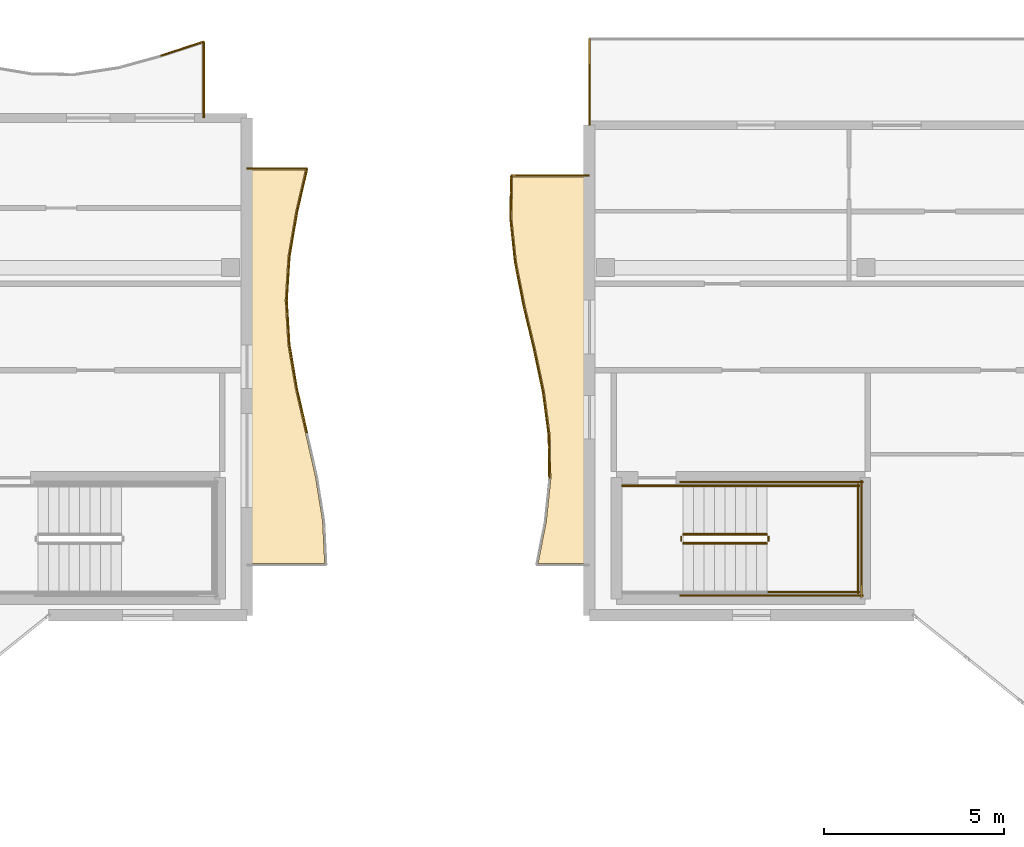
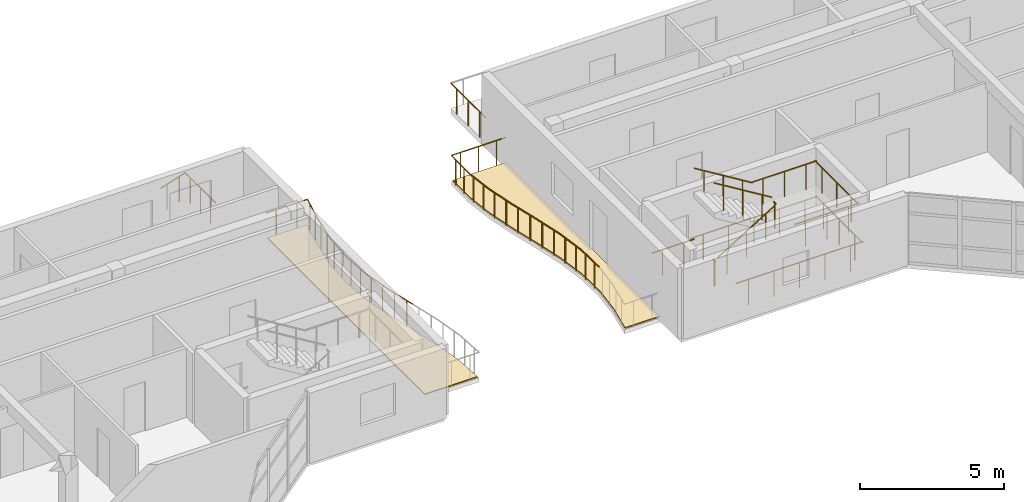
# One storey, part 36 of 39: 30 railings, 2 coverings.
"""IFC4 building model written with IfcOpenShell, lengths in metres."""

import ifcopenshell
import ifcopenshell.guid

model = None  # the IFC model being written
_history = None  # IfcOwnerHistory: only IFC2X3 demands one
_inside = {}  # id of a spatial element -> (the spatial element, [elements in it])
_under = {}  # id of a project, library or spatial element -> (it, [spatial elements below it])
_declared = {}  # id of a project -> (the project, [libraries it declares])
_typed = {}  # id of a type object -> (the type object, [elements of that type])
_made_of = {}  # id of a material, layer set ... -> (it, [elements and type objects made of it])


def new_model(schema):
    """Start an empty IFC model of exactly this schema.

    Asked for "IFC4X3", IfcOpenShell would pick the latest addendum, in which some entities
    have other attributes; the version numbers below select the first issue.
    IFC2X3 requires an IfcOwnerHistory on every rooted entity: one is made here for all.
    """
    global model, _history
    if schema == "IFC4X3":
        model = ifcopenshell.file(schema_version=(4, 3, 0, 0))
    else:
        model = ifcopenshell.file(schema=schema)
    _inside.clear()
    _under.clear()
    _declared.clear()
    _typed.clear()
    _made_of.clear()
    _history = None
    if model.schema == "IFC2X3":
        org = make("IfcOrganization", Name="unknown")
        user = make(
            "IfcPersonAndOrganization",
            ThePerson=make("IfcPerson", FamilyName="unknown"),
            TheOrganization=org,
        )
        app = make(
            "IfcApplication",
            ApplicationDeveloper=org,
            Version="unknown",
            ApplicationFullName="unknown",
            ApplicationIdentifier="unknown",
        )
        _history = make(
            "IfcOwnerHistory",
            OwningUser=user,
            OwningApplication=app,
            ChangeAction="ADDED",
            CreationDate=0,
        )
    return model


def make(cls, **values):
    """One entity of the class cls with the attributes given. An attribute that is None is left unset."""
    return model.create_entity(
        cls, **{name: value for name, value in values.items() if value is not None}
    )


def rooted(cls, **values):
    """An entity with a GlobalId (a new one), such as an element, a storey or a relation."""
    return make(cls, GlobalId=ifcopenshell.guid.new(), OwnerHistory=_history, **values)


def si_unit(unit_type, name, prefix=None):
    """IfcSIUnit, for example si_unit("LENGTHUNIT", "METRE", prefix="MILLI")."""
    return make("IfcSIUnit", UnitType=unit_type, Prefix=prefix, Name=name)


def assignment(units):
    """IfcUnitAssignment: the units of a project."""
    return None if units is None else make("IfcUnitAssignment", Units=units)


def point(xyz):
    """IfcCartesianPoint."""
    return None if xyz is None else make("IfcCartesianPoint", Coordinates=xyz)


def direction(xyz):
    """IfcDirection."""
    return None if xyz is None else make("IfcDirection", DirectionRatios=xyz)


def frame(location, z_axis=None, x_axis=None):
    """IfcAxis2Placement3D, a coordinate frame: its origin and axes. An axis left out is left unset."""
    return make(
        "IfcAxis2Placement3D",
        Location=point(location),
        Axis=direction(z_axis),
        RefDirection=direction(x_axis),
    )


def frame_2d(location, x_axis=None):
    """IfcAxis2Placement2D, a coordinate frame in the plane: its origin and x axis."""
    return make(
        "IfcAxis2Placement2D", Location=point(location), RefDirection=direction(x_axis)
    )


def origin():
    """The frame at (0, 0, 0) with its axes left unset."""
    return frame((0.0, 0.0, 0.0))


def origin_2d():
    """The frame at (0, 0) in the plane with its x axis left unset."""
    return frame_2d((0.0, 0.0))


def place(relative_to, where):
    """IfcLocalPlacement: puts the frame where relative to a parent placement (None: the world)."""
    return make(
        "IfcLocalPlacement", PlacementRelTo=relative_to, RelativePlacement=where
    )


def context(
    kind, dimensions, precision=None, world=None, true_north=None, identifier=None
):
    """IfcGeometricRepresentationContext, for example the 3D "Model" context."""
    return make(
        "IfcGeometricRepresentationContext",
        ContextIdentifier=identifier,
        ContextType=kind,
        CoordinateSpaceDimension=dimensions,
        Precision=precision,
        WorldCoordinateSystem=world,
        TrueNorth=true_north,
    )


def subcontext(parent, identifier, kind, view, scale=None):
    """IfcGeometricRepresentationSubContext, for example "Body" below "Model"."""
    return make(
        "IfcGeometricRepresentationSubContext",
        ContextIdentifier=identifier,
        ContextType=kind,
        ParentContext=parent,
        TargetScale=scale,
        TargetView=view,
    )


def project(units=None, contexts=None):
    """IfcProject with its units and contexts."""
    return rooted(
        "IfcProject",
        Name="project",
        RepresentationContexts=contexts,
        UnitsInContext=assignment(units),
    )


def spatial(cls, under=None, at=None, **own):
    """A site, building, storey or space (cls), placed at a placement, below another one or the project."""
    s = rooted(cls, ObjectPlacement=at, **own)
    if under is not None:
        _under.setdefault(under.id(), (under, []))[1].append(s)
    return s


def polyline(points):
    """IfcPolyline through the points."""
    return make("IfcPolyline", Points=[point(p) for p in points])


def profile(cls, at=None, kind="AREA", **sizes):
    """A parametric profile (cls). Its sizes go by their IFC names, for example OverallWidth=200.0."""
    return make(cls, ProfileType=kind, Position=at, **sizes)


def circle(**sizes):
    """IfcCircleProfileDef."""
    return profile("IfcCircleProfileDef", **sizes)


def outline(outer, holes=None, kind="AREA"):
    """IfcArbitraryClosedProfileDef: a profile drawn as a closed curve; with holes, ...WithVoids."""
    if holes is None:
        return make("IfcArbitraryClosedProfileDef", ProfileType=kind, OuterCurve=outer)
    return make(
        "IfcArbitraryProfileDefWithVoids",
        ProfileType=kind,
        OuterCurve=outer,
        InnerCurves=holes,
    )


def extrude(swept, where, along, depth):
    """IfcExtrudedAreaSolid: the profile swept, set in the frame where, extruded along a direction by depth."""
    return make(
        "IfcExtrudedAreaSolid",
        SweptArea=swept,
        Position=where,
        ExtrudedDirection=direction(along),
        Depth=depth,
    )


def shape(context_of_items, identifier, shape_type, items):
    """IfcShapeRepresentation: the items that make up one representation, for example the "Body"."""
    return make(
        "IfcShapeRepresentation",
        ContextOfItems=context_of_items,
        RepresentationIdentifier=identifier,
        RepresentationType=shape_type,
        Items=items,
    )


def material(Name=None, Category=None):
    """IfcMaterial."""
    return make("IfcMaterial", Name=Name, Category=Category)


def layer(
    of_material, thickness, ventilated=None, Name=None, Category=None, Priority=None
):
    """IfcMaterialLayer: one layer of a wall or slab, of a material (None: an air gap)."""
    return make(
        "IfcMaterialLayer",
        Material=of_material,
        LayerThickness=thickness,
        IsVentilated=ventilated,
        Name=Name,
        Category=Category,
        Priority=Priority,
    )


def layer_set(layers, Name=None):
    """IfcMaterialLayerSet."""
    return make("IfcMaterialLayerSet", MaterialLayers=layers, LayerSetName=Name)


def made_of(thing, what):
    """Note that an element or type object is made of a material, layer set ...; save() writes the relation."""
    if what is not None:
        _made_of.setdefault(what.id(), (what, []))[1].append(thing)
    return thing


def type_object(cls, material=None, **own):
    """A type object (cls), such as IfcWallType, which elements share."""
    return made_of(rooted(cls, **own), material)


def element(
    cls,
    number,
    at=None,
    inside=None,
    cuts=None,
    type_object=None,
    material=None,
    context=None,
    identifier="Body",
    shape_type=None,
    held_by="IfcProductDefinitionShape",
    body=None,
    shapes=None,
    **own,
):
    """One element of the class cls, such as IfcWall. Its Tag is "e" and its number.

    at: its placement. inside: the storey or other place that contains it. cuts: it is an
    opening in that element (IfcRelVoidsElement). A single representation is given by context,
    identifier, shape_type and body (its items); several are given by shapes. held_by: the class
    of the entity that holds the representations. save() writes the other relations.
    """
    e = rooted(cls, Tag="e%d" % number, ObjectPlacement=at, **own)
    if body is not None:
        shapes = [shape(context, identifier, shape_type, body)]
    if shapes is not None:
        e.Representation = make(held_by, Representations=shapes)
    if inside is not None:
        _inside.setdefault(inside.id(), (inside, []))[1].append(e)
    if cuts is not None:
        rooted(
            "IfcRelVoidsElement", RelatingBuildingElement=cuts, RelatedOpeningElement=e
        )
    if type_object is not None:
        _typed.setdefault(type_object.id(), (type_object, []))[1].append(e)
    return made_of(e, material)


def aggregate(whole, parts):
    """IfcRelAggregates: a whole, such as a stair, and the parts it consists of."""
    return rooted("IfcRelAggregates", RelatingObject=whole, RelatedObjects=parts)


def save(model, path):
    """Write the relations noted so far, then the file.

    IfcRelAggregates (storeys below a building ...), IfcRelContainedInSpatialStructure (elements
    in a storey), IfcRelDefinesByType, IfcRelAssociatesMaterial and IfcRelDeclares: one each for
    every whole, place, type object, material and project.
    """
    for whole, parts in _under.values():
        aggregate(whole, parts)
    for where, things in _inside.values():
        rooted(
            "IfcRelContainedInSpatialStructure",
            RelatedElements=things,
            RelatingStructure=where,
        )
    for kind, things in _typed.values():
        rooted("IfcRelDefinesByType", RelatedObjects=things, RelatingType=kind)
    for what, things in _made_of.values():
        rooted("IfcRelAssociatesMaterial", RelatedObjects=things, RelatingMaterial=what)
    for by, libraries in _declared.values():
        rooted("IfcRelDeclares", RelatingContext=by, RelatedDefinitions=libraries)
    model.write(path)


model = new_model("IFC4")

# Units and contexts
model_context = context("Model", 3, precision=1e-05, world=origin(), true_north=direction((0.0, 1.0)))
body_context = subcontext(model_context, "Body", "Model", "MODEL_VIEW")
ifc_project = project(units=[si_unit("LENGTHUNIT", "METRE"), si_unit("AREAUNIT", "SQUARE_METRE"), si_unit("VOLUMEUNIT", "CUBIC_METRE"), si_unit("PLANEANGLEUNIT", "RADIAN"), si_unit("MASSUNIT", "GRAM", prefix="KILO")], contexts=[model_context])

# Site, building, storey
site_placement = place(None, origin())
site = spatial("IfcSite", under=ifc_project, at=site_placement, CompositionType="ELEMENT")
building_placement = place(site_placement, origin())
building = spatial("IfcBuilding", under=site, at=building_placement, Name="Keldmere Railside Commons", CompositionType="ELEMENT")
storey_placement = place(building_placement, frame((0.0, 0.0, 32.9599609375)))
storey = spatial("IfcBuildingStorey", under=building, at=storey_placement, Name="L10", CompositionType="ELEMENT", Elevation=32.9599609375)

# Railings
ifc_material_1 = material(Name="Steel F-24 (S235)", Category="steel")
railing_type_1 = type_object("IfcRailingType", Name="Balcony & Terrace Steel Balustrade 1100", PredefinedType="BALUSTRADE", material=ifc_material_1)
railing_1_placement = place(storey_placement, frame((135.111328125, 115.5283203125, 0.0)))
element("IfcRailing", 1, at=railing_1_placement, inside=storey, type_object=railing_type_1, Name="GR-1 GRD-L10-2982", PredefinedType="BALUSTRADE", context=body_context, shape_type="SweptSolid", body=[
    extrude(circle(Radius=0.02392578125, at=origin_2d()), frame((0.0, 0.0, 1.076171875), z_axis=(0.95151687698, 0.307596542281, 0.0), x_axis=(-0.307596542281, 0.95151687698, 0.0)), (0.0, 0.0, 1.0), 1.249267578125),
    extrude(circle(Radius=0.02099609375, at=origin_2d()), frame((0.297119140625, 0.09619140625, 0.0)), (0.0, 0.0, 1.0), 1.048095703125),
    extrude(circle(Radius=0.02099609375, at=origin_2d()), frame((0.8916015625, 0.2880859375, 0.0)), (0.0, 0.0, 1.0), 1.048095703125),
])
railing_2_placement = place(storey_placement, frame((136.300048828125, 115.91259765625, 0.0)))
element("IfcRailing", 2, at=railing_2_placement, inside=storey, type_object=railing_type_1, Name="GR-1 GRD-L10-2983", PredefinedType="BALUSTRADE", context=body_context, shape_type="SweptSolid", body=[
    extrude(circle(Radius=0.02392578125, at=origin_2d()), frame((0.0, 0.0, 1.076171875), z_axis=(0.0, -1.0, 0.0), x_axis=(1.0, 0.0, 0.0)), (0.0, 0.0, 1.0), 2.112548828125),
    extrude(circle(Radius=0.02099609375, at=origin_2d()), frame((0.0, -0.35205078125, 0.0)), (0.0, 0.0, 1.0), 1.048095703125),
    extrude(circle(Radius=0.02099609375, at=origin_2d()), frame((0.0, -1.05615234375, 0.0)), (0.0, 0.0, 1.0), 1.048095703125),
    extrude(circle(Radius=0.02099609375, at=origin_2d()), frame((0.0, -1.760498046875, 0.0)), (0.0, 0.0, 1.0), 1.048095703125),
])
railing_3_placement = place(storey_placement, frame((139.163818359375, 105.066650390625, 0.0)))
element("IfcRailing", 3, at=railing_3_placement, inside=storey, type_object=railing_type_1, Name="GR-1 GRD-L10-3032", PredefinedType="BALUSTRADE", context=body_context, shape_type="SweptSolid", body=[
    extrude(circle(Radius=0.02392578125, at=origin_2d()), frame((0.0, 0.0, 1.076171875), z_axis=(-0.224447193324, 0.974486253063, 0.0), x_axis=(-0.974486253063, -0.224447193324, 0.0)), (0.0, 0.0, 1.0), 1.254150390625),
    extrude(circle(Radius=0.02099609375, at=origin_2d()), frame((-0.0703125, 0.3056640625, 0.0)), (0.0, 0.0, 1.0), 1.048095703125),
    extrude(circle(Radius=0.02099609375, at=origin_2d()), frame((-0.211181640625, 0.91650390625, 0.0)), (0.0, 0.0, 1.0), 1.048095703125),
])
railing_4_placement = place(storey_placement, frame((138.88232421875, 106.288818359375, 0.0)))
element("IfcRailing", 4, at=railing_4_placement, inside=storey, type_object=railing_type_1, Name="GR-1 GRD-L10-3033", PredefinedType="BALUSTRADE", context=body_context, shape_type="SweptSolid", body=[
    extrude(circle(Radius=0.02392578125, at=origin_2d()), frame((0.0, 0.0, 1.076171875), z_axis=(-0.167017369654, 0.985953953404, 0.0), x_axis=(-0.985953953404, -0.167017369654, 0.0)), (0.0, 0.0, 1.0), 1.239501953125),
    extrude(circle(Radius=0.02099609375, at=origin_2d()), frame((-0.0517578125, 0.3056640625, 0.0)), (0.0, 0.0, 1.0), 1.048095703125),
    extrude(circle(Radius=0.02099609375, at=origin_2d()), frame((-0.1552734375, 0.91650390625, 0.0)), (0.0, 0.0, 1.0), 1.048095703125),
])
railing_5_placement = place(storey_placement, frame((138.67529296875, 107.510986328125, 0.0)))
element("IfcRailing", 5, at=railing_5_placement, inside=storey, type_object=railing_type_1, Name="GR-1 GRD-L10-3034", PredefinedType="BALUSTRADE", context=body_context, shape_type="SweptSolid", body=[
    extrude(circle(Radius=0.02392578125, at=origin_2d()), frame((0.0, 0.0, 1.076171875), z_axis=(-0.061397826865, 0.998113373749, 0.0), x_axis=(-0.998113373749, -0.061397826865, 0.0)), (0.0, 0.0, 1.0), 1.224609375),
    extrude(circle(Radius=0.02099609375, at=origin_2d()), frame((-0.018798828125, 0.3056640625, 0.0)), (0.0, 0.0, 1.0), 1.048095703125),
    extrude(circle(Radius=0.02099609375, at=origin_2d()), frame((-0.056396484375, 0.916748046875, 0.0)), (0.0, 0.0, 1.0), 1.048095703125),
])
railing_6_placement = place(storey_placement, frame((138.60009765625, 108.7333984375, 0.0)))
element("IfcRailing", 6, at=railing_6_placement, inside=storey, type_object=railing_type_1, Name="GR-1 GRD-L10-3035", PredefinedType="BALUSTRADE", context=body_context, shape_type="SweptSolid", body=[
    extrude(circle(Radius=0.02392578125, at=origin_2d()), frame((0.0, 0.0, 1.076171875), z_axis=(0.063197429309, 0.998001044553, 0.0), x_axis=(-0.998001044553, 0.063197429309, 0.0)), (0.0, 0.0, 1.0), 1.224609375),
    extrude(circle(Radius=0.02099609375, at=origin_2d()), frame((0.019287109375, 0.3056640625, 0.0)), (0.0, 0.0, 1.0), 1.048095703125),
    extrude(circle(Radius=0.02099609375, at=origin_2d()), frame((0.05810546875, 0.91650390625, 0.0)), (0.0, 0.0, 1.0), 1.048095703125),
])
railing_7_placement = place(storey_placement, frame((138.677490234375, 109.95556640625, 0.0)))
element("IfcRailing", 7, at=railing_7_placement, inside=storey, type_object=railing_type_1, Name="GR-1 GRD-L10-3036", PredefinedType="BALUSTRADE", context=body_context, shape_type="SweptSolid", body=[
    extrude(circle(Radius=0.02392578125, at=origin_2d()), frame((0.0, 0.0, 1.076171875), z_axis=(0.168357128733, 0.985726066007, 0.0), x_axis=(-0.985726066007, 0.168357128733, 0.0)), (0.0, 0.0, 1.0), 1.23974609375),
    extrude(circle(Radius=0.02099609375, at=origin_2d()), frame((0.05224609375, 0.3056640625, 0.0)), (0.0, 0.0, 1.0), 1.048095703125),
    extrude(circle(Radius=0.02099609375, at=origin_2d()), frame((0.156494140625, 0.91650390625, 0.0)), (0.0, 0.0, 1.0), 1.048095703125),
])
railing_8_placement = place(storey_placement, frame((138.88623046875, 111.177734375, 0.0)))
element("IfcRailing", 8, at=railing_8_placement, inside=storey, type_object=railing_type_1, Name="GR-1 GRD-L10-3037", PredefinedType="BALUSTRADE", context=body_context, shape_type="SweptSolid", body=[
    extrude(circle(Radius=0.02392578125, at=origin_2d()), frame((0.0, 0.0, 1.076171875), z_axis=(0.224816859188, 0.974401036445, 0.0), x_axis=(-0.974401036445, 0.224816859188, 0.0)), (0.0, 0.0, 1.0), 1.25439453125),
    extrude(circle(Radius=0.02099609375, at=origin_2d()), frame((0.070556640625, 0.3056640625, 0.0)), (0.0, 0.0, 1.0), 1.048095703125),
    extrude(circle(Radius=0.02099609375, at=origin_2d()), frame((0.21142578125, 0.91650390625, 0.0)), (0.0, 0.0, 1.0), 1.048095703125),
])
railing_9_placement = place(storey_placement, frame((139.168212890625, 112.39990234375, 0.0)))
element("IfcRailing", 9, at=railing_9_placement, inside=storey, type_object=railing_type_1, Name="GR-1 GRD-L10-3038", PredefinedType="BALUSTRADE", context=body_context, shape_type="SweptSolid", body=[
    extrude(circle(Radius=0.02392578125, at=origin_2d()), frame((0.0, 0.0, 1.076171875), z_axis=(-1.0, 0.0, 0.0), x_axis=(0.0, -1.0, 0.0)), (0.0, 0.0, 1.0), 1.668212890625),
    extrude(circle(Radius=0.02099609375, at=origin_2d()), frame((-0.4169921875, 0.0, 0.0)), (0.0, 0.0, 1.0), 1.048095703125),
    extrude(circle(Radius=0.02099609375, at=origin_2d()), frame((-1.251220703125, 0.0, 0.0)), (0.0, 0.0, 1.0), 1.048095703125),
])
railing_10_placement = place(storey_placement, frame((145.88916015625, 103.800048828125, 0.0)))
element("IfcRailing", 10, at=railing_10_placement, inside=storey, type_object=railing_type_1, Name="GR-1 GRD-L10-4410", PredefinedType="BALUSTRADE", context=body_context, shape_type="SweptSolid", body=[
    extrude(circle(Radius=0.02392578125, at=origin_2d()), frame((0.0, 0.0, 1.076171875), z_axis=(-0.015054245006, 0.999886678433, 0.0), x_axis=(-0.999886678433, -0.015054245006, 0.0)), (0.0, 0.0, 1.0), 1.2001953125),
    extrude(circle(Radius=0.02099609375, at=origin_2d()), frame((-0.00439453125, 0.300048828125, 0.0)), (0.0, 0.0, 1.0), 1.048095703125),
    extrude(circle(Radius=0.02099609375, at=origin_2d()), frame((-0.013671875, 0.89990234375, 0.0)), (0.0, 0.0, 1.0), 1.048095703125),
])
railing_11_placement = place(storey_placement, frame((145.87109375, 105.0, 0.0)))
element("IfcRailing", 11, at=railing_11_placement, inside=storey, type_object=railing_type_1, Name="GR-1 GRD-L10-4411", PredefinedType="BALUSTRADE", context=body_context, shape_type="SweptSolid", body=[
    extrude(circle(Radius=0.02392578125, at=origin_2d()), frame((0.0, 0.0, 1.076171875), z_axis=(-0.130313620382, 0.991472823805, 0.0), x_axis=(-0.991472823805, -0.130313620382, 0.0)), (0.0, 0.0, 1.0), 1.210205078125),
    extrude(circle(Radius=0.02099609375, at=origin_2d()), frame((-0.03955078125, 0.300048828125, 0.0)), (0.0, 0.0, 1.0), 1.048095703125),
    extrude(circle(Radius=0.02099609375, at=origin_2d()), frame((-0.1181640625, 0.89990234375, 0.0)), (0.0, 0.0, 1.0), 1.048095703125),
])
railing_12_placement = place(storey_placement, frame((145.71337890625, 106.199951171875, 0.0)))
element("IfcRailing", 12, at=railing_12_placement, inside=storey, type_object=railing_type_1, Name="GR-1 GRD-L10-4412", PredefinedType="BALUSTRADE", context=body_context, shape_type="SweptSolid", body=[
    extrude(circle(Radius=0.02392578125, at=origin_2d()), frame((0.0, 0.0, 1.076171875), z_axis=(-0.207775446327, 0.978176550477, 0.0), x_axis=(-0.978176550477, -0.207775446327, 0.0)), (0.0, 0.0, 1.0), 1.226806640625),
    extrude(circle(Radius=0.02099609375, at=origin_2d()), frame((-0.063720703125, 0.300048828125, 0.0)), (0.0, 0.0, 1.0), 1.048095703125),
    extrude(circle(Radius=0.02099609375, at=origin_2d()), frame((-0.191162109375, 0.89990234375, 0.0)), (0.0, 0.0, 1.0), 1.048095703125),
])
railing_13_placement = place(storey_placement, frame((145.45849609375, 107.39990234375, 0.0)))
element("IfcRailing", 13, at=railing_13_placement, inside=storey, type_object=railing_type_1, Name="GR-1 GRD-L10-4413", PredefinedType="BALUSTRADE", context=body_context, shape_type="SweptSolid", body=[
    extrude(circle(Radius=0.02392578125, at=origin_2d()), frame((0.0, 0.0, 1.076171875), z_axis=(-0.230407194855, 0.973094304042, 0.0), x_axis=(-0.973094304042, -0.230407194855, 0.0)), (0.0, 0.0, 1.0), 1.2333984375),
    extrude(circle(Radius=0.02099609375, at=origin_2d()), frame((-0.071044921875, 0.300048828125, 0.0)), (0.0, 0.0, 1.0), 1.048095703125),
    extrude(circle(Radius=0.02099609375, at=origin_2d()), frame((-0.213134765625, 0.900146484375, 0.0)), (0.0, 0.0, 1.0), 1.048095703125),
])
railing_14_placement = place(storey_placement, frame((145.17431640625, 108.60009765625, 0.0)))
element("IfcRailing", 14, at=railing_14_placement, inside=storey, type_object=railing_type_1, Name="GR-1 GRD-L10-4414", PredefinedType="BALUSTRADE", context=body_context, shape_type="SweptSolid", body=[
    extrude(circle(Radius=0.02392578125, at=origin_2d()), frame((0.0, 0.0, 1.076171875), z_axis=(-0.193812506516, 0.981038588598, 0.0), x_axis=(-0.981038588598, -0.193812506516, 0.0)), (0.0, 0.0, 1.0), 1.22314453125),
    extrude(circle(Radius=0.02099609375, at=origin_2d()), frame((-0.059326171875, 0.300048828125, 0.0)), (0.0, 0.0, 1.0), 1.048095703125),
    extrude(circle(Radius=0.02099609375, at=origin_2d()), frame((-0.177734375, 0.89990234375, 0.0)), (0.0, 0.0, 1.0), 1.048095703125),
])
railing_15_placement = place(storey_placement, frame((144.937255859375, 109.800048828125, 0.0)))
element("IfcRailing", 15, at=railing_15_placement, inside=storey, type_object=railing_type_1, Name="GR-1 GRD-L10-4415", PredefinedType="BALUSTRADE", context=body_context, shape_type="SweptSolid", body=[
    extrude(circle(Radius=0.02392578125, at=origin_2d()), frame((0.0, 0.0, 1.076171875), z_axis=(-0.104811175739, 0.994492140462, 0.0), x_axis=(-0.994492140462, -0.104811175739, 0.0)), (0.0, 0.0, 1.0), 1.20654296875),
    extrude(circle(Radius=0.02099609375, at=origin_2d()), frame((-0.03173828125, 0.300048828125, 0.0)), (0.0, 0.0, 1.0), 1.048095703125),
    extrude(circle(Radius=0.02099609375, at=origin_2d()), frame((-0.0947265625, 0.89990234375, 0.0)), (0.0, 0.0, 1.0), 1.048095703125),
])
railing_16_placement = place(storey_placement, frame((144.810791015625, 111.0, 0.0)))
element("IfcRailing", 16, at=railing_16_placement, inside=storey, type_object=railing_type_1, Name="GR-1 GRD-L10-4416", PredefinedType="BALUSTRADE", context=body_context, shape_type="SweptSolid", body=[
    extrude(circle(Radius=0.02392578125, at=origin_2d()), frame((0.0, 0.0, 1.076171875), z_axis=(0.015054245006, 0.999886678433, 0.0), x_axis=(-0.999886678433, 0.015054245006, 0.0)), (0.0, 0.0, 1.0), 1.2001953125),
    extrude(circle(Radius=0.02099609375, at=origin_2d()), frame((0.00439453125, 0.300048828125, 0.0)), (0.0, 0.0, 1.0), 1.048095703125),
    extrude(circle(Radius=0.02099609375, at=origin_2d()), frame((0.013671875, 0.89990234375, 0.0)), (0.0, 0.0, 1.0), 1.048095703125),
])
railing_17_placement = place(storey_placement, frame((144.828857421875, 112.199951171875, 0.0)))
element("IfcRailing", 17, at=railing_17_placement, inside=storey, type_object=railing_type_1, Name="GR-1 GRD-L10-4417", PredefinedType="BALUSTRADE", context=body_context, shape_type="SweptSolid", body=[
    extrude(circle(Radius=0.02392578125, at=origin_2d()), frame((0.0, 0.0, 1.076171875), z_axis=(1.0, 0.0, 0.0), x_axis=(0.0, 1.0, 0.0)), (0.0, 0.0, 1.0), 2.171142578125),
    extrude(circle(Radius=0.02099609375, at=origin_2d()), frame((0.36181640625, 0.0, 0.0)), (0.0, 0.0, 1.0), 1.048095703125),
    extrude(circle(Radius=0.02099609375, at=origin_2d()), frame((1.08544921875, 0.0, 0.0)), (0.0, 0.0, 1.0), 1.048095703125),
    extrude(circle(Radius=0.02099609375, at=origin_2d()), frame((1.809326171875, 0.0, 0.0)), (0.0, 0.0, 1.0), 1.048095703125),
])
railing_18_placement = place(storey_placement, frame((147.0, 113.60009765625, 0.0)))
element("IfcRailing", 18, at=railing_18_placement, inside=storey, type_object=railing_type_1, Name="GR-1 GRD-L10-4431", PredefinedType="BALUSTRADE", context=body_context, shape_type="SweptSolid", body=[
    extrude(circle(Radius=0.02392578125, at=origin_2d()), frame((0.0, 0.0, 1.076171875), z_axis=(0.0, 1.0, 0.0), x_axis=(-1.0, 0.0, 0.0)), (0.0, 0.0, 1.0), 2.39990234375),
    extrude(circle(Radius=0.02099609375, at=origin_2d()), frame((0.0, 0.39990234375, 0.0)), (0.0, 0.0, 1.0), 1.048095703125),
    extrude(circle(Radius=0.02099609375, at=origin_2d()), frame((0.0, 1.199951171875, 0.0)), (0.0, 0.0, 1.0), 1.048095703125),
    extrude(circle(Radius=0.02099609375, at=origin_2d()), frame((0.0, 2.0, 0.0)), (0.0, 0.0, 1.0), 1.048095703125),
])
railing_type_2 = type_object("IfcRailingType", Name="Stair Well Steel Guardrail 1100", PredefinedType="BALUSTRADE", material=ifc_material_1)
railing_19_placement = place(storey_placement, frame((149.60009765625, 102.0, 0.177734375)))
element("IfcRailing", 19, at=railing_19_placement, inside=storey, type_object=railing_type_2, Name="L10 ST-A2 stair guard 1", PredefinedType="BALUSTRADE", context=body_context, shape_type="SweptSolid", body=[
    extrude(circle(Radius=0.02392578125, at=origin_2d()), frame((0.0, 0.0, 1.076171875), z_axis=(0.852513557019, 0.0, 0.522705112944), x_axis=(0.0, 1.0, 0.0)), (0.0, 0.0, 1.0), 2.72119140625),
    extrude(circle(Radius=0.02099609375, at=origin_2d()), frame((0.38671875, 0.0, 0.237060546875)), (0.0, 0.0, 1.0), 1.048095703125),
    extrude(circle(Radius=0.02099609375, at=origin_2d()), frame((1.159912109375, 0.0, 0.711181640625)), (0.0, 0.0, 1.0), 1.048095703125),
    extrude(circle(Radius=0.02099609375, at=origin_2d()), frame((1.93310546875, 0.0, 1.185302734375)), (0.0, 0.0, 1.0), 1.048095703125),
])
railing_20_placement = place(storey_placement, frame((151.969970703125, 102.050048828125, 1.60009765625)))
element("IfcRailing", 20, at=railing_20_placement, inside=storey, type_object=railing_type_2, Name="L10 ST-A2 stair guard 2", PredefinedType="BALUSTRADE", context=body_context, shape_type="SweptSolid", body=[
    extrude(circle(Radius=0.02392578125, at=origin_2d()), frame((0.0, 0.0, 1.076171875), z_axis=(0.0, 1.0, 0.0), x_axis=(-1.0, 0.0, 0.0)), (0.0, 0.0, 1.0), 0.14990234375),
    extrude(circle(Radius=0.02099609375, at=origin_2d()), frame((0.0, 0.074951171875, 0.0)), (0.0, 0.0, 1.0), 1.048095703125),
])
for number, where, name in (
    (21, (151.919921875, 100.64990234375, 1.60009765625), "L10 ST-A2 stair guard 3"),
    (22, (151.919921875, 103.60009765625, 1.60009765625), "L10 ST-A2 stair guard 4"),
):
    element("IfcRailing", number, at=place(storey_placement, frame(where)), inside=storey, type_object=railing_type_2, Name=name, PredefinedType="BALUSTRADE", context=body_context, shape_type="SweptSolid", body=[
        extrude(circle(Radius=0.02392578125, at=origin_2d()), frame((0.0, 0.0, 1.076171875), z_axis=(1.0, 0.0, 0.0), x_axis=(0.0, 1.0, 0.0)), (0.0, 0.0, 1.0), 2.580078125),
        extrude(circle(Radius=0.02099609375, at=origin_2d()), frame((0.429931640625, 0.0, 0.0)), (0.0, 0.0, 1.0), 1.048095703125),
        extrude(circle(Radius=0.02099609375, at=origin_2d()), frame((1.2900390625, 0.0, 0.0)), (0.0, 0.0, 1.0), 1.048095703125),
        extrude(circle(Radius=0.02099609375, at=origin_2d()), frame((2.150146484375, 0.0, 0.0)), (0.0, 0.0, 1.0), 1.048095703125),
    ])
railing_21_placement = place(storey_placement, frame((154.449951171875, 100.60009765625, 1.60009765625)))
element("IfcRailing", 23, at=railing_21_placement, inside=storey, type_object=railing_type_2, Name="L10 ST-A2 stair guard 5", PredefinedType="BALUSTRADE", context=body_context, shape_type="SweptSolid", body=[
    extrude(circle(Radius=0.02392578125, at=origin_2d()), frame((0.0, 0.0, 1.076171875), z_axis=(0.0, 1.0, 0.0), x_axis=(-1.0, 0.0, 0.0)), (0.0, 0.0, 1.0), 3.0498046875),
    extrude(circle(Radius=0.02099609375, at=origin_2d()), frame((0.0, 0.50830078125, 0.0)), (0.0, 0.0, 1.0), 1.048095703125),
    extrude(circle(Radius=0.02099609375, at=origin_2d()), frame((0.0, 1.52490234375, 0.0)), (0.0, 0.0, 1.0), 1.048095703125),
    extrude(circle(Radius=0.02099609375, at=origin_2d()), frame((0.0, 2.54150390625, 0.0)), (0.0, 0.0, 1.0), 1.048095703125),
])
railing_22_placement = place(storey_placement, frame((151.919921875, 102.25, 1.77783203125)))
element("IfcRailing", 24, at=railing_22_placement, inside=storey, type_object=railing_type_2, Name="L10 ST-A2 stair guard 6", PredefinedType="BALUSTRADE", context=body_context, shape_type="SweptSolid", body=[
    extrude(circle(Radius=0.02392578125, at=origin_2d()), frame((0.0, 0.0, 1.076171875), z_axis=(-0.85255353654, 0.0, 0.522639902162), x_axis=(0.0, -1.0, 0.0)), (0.0, 0.0, 1.0), 2.720947265625),
    extrude(circle(Radius=0.02099609375, at=origin_2d()), frame((-0.38671875, 0.0, 0.237060546875)), (0.0, 0.0, 1.0), 1.048095703125),
    extrude(circle(Radius=0.02099609375, at=origin_2d()), frame((-1.159912109375, 0.0, 0.7109375)), (0.0, 0.0, 1.0), 1.048095703125),
    extrude(circle(Radius=0.02099609375, at=origin_2d()), frame((-1.93310546875, 0.0, 1.18505859375)), (0.0, 0.0, 1.0), 1.048095703125),
])
railing_23_placement = place(storey_placement, frame((149.550048828125, 102.050048828125, 0.0)))
element("IfcRailing", 25, at=railing_23_placement, inside=storey, type_object=railing_type_2, Name="L10 ST-A2 stair guard 7", PredefinedType="BALUSTRADE", context=body_context, shape_type="SweptSolid", body=[
    extrude(circle(Radius=0.02392578125, at=origin_2d()), frame((0.0, 0.0, 1.076171875), z_axis=(0.0, 1.0, 0.0), x_axis=(-1.0, 0.0, 0.0)), (0.0, 0.0, 1.0), 0.14990234375),
    extrude(circle(Radius=0.02099609375, at=origin_2d()), frame((0.0, 0.074951171875, 0.0)), (0.0, 0.0, 1.0), 1.048095703125),
])
railing_24_placement = place(storey_placement, frame((147.89990234375, 103.60009765625, 0.0)))
element("IfcRailing", 26, at=railing_24_placement, inside=storey, type_object=railing_type_2, Name="L10 ST-A2 stair guard 9", PredefinedType="BALUSTRADE", context=body_context, shape_type="SweptSolid", body=[
    extrude(circle(Radius=0.02392578125, at=origin_2d()), frame((0.0, 0.0, 1.076171875), z_axis=(1.0, 0.0, 0.0), x_axis=(0.0, 1.0, 0.0)), (0.0, 0.0, 1.0), 1.7001953125),
    extrude(circle(Radius=0.02099609375, at=origin_2d()), frame((0.425048828125, 0.0, 0.0)), (0.0, 0.0, 1.0), 1.048095703125),
    extrude(circle(Radius=0.02099609375, at=origin_2d()), frame((1.275146484375, 0.0, 0.0)), (0.0, 0.0, 1.0), 1.048095703125),
])
for number, where, name in (
    (27, (149.5, 100.550048828125, 0.0), "L10 ST-A2 stair guard 10"),
    (28, (149.5, 103.699951171875, 0.0), "L10 ST-A2 stair guard 11"),
):
    element("IfcRailing", number, at=place(storey_placement, frame(where)), inside=storey, type_object=railing_type_2, Name=name, PredefinedType="BALUSTRADE", context=body_context, shape_type="SweptSolid", body=[
        extrude(circle(Radius=0.02392578125, at=origin_2d()), frame((0.0, 0.0, 1.076171875), z_axis=(1.0, 0.0, 0.0), x_axis=(0.0, 1.0, 0.0)), (0.0, 0.0, 1.0), 5.10009765625),
        extrude(circle(Radius=0.02099609375, at=origin_2d()), frame((0.510009765625, 0.0, 0.0)), (0.0, 0.0, 1.0), 1.048095703125),
        extrude(circle(Radius=0.02099609375, at=origin_2d()), frame((1.530029296875, 0.0, 0.0)), (0.0, 0.0, 1.0), 1.048095703125),
        extrude(circle(Radius=0.02099609375, at=origin_2d()), frame((2.550048828125, 0.0, 0.0)), (0.0, 0.0, 1.0), 1.048095703125),
        extrude(circle(Radius=0.02099609375, at=origin_2d()), frame((3.570068359375, 0.0, 0.0)), (0.0, 0.0, 1.0), 1.048095703125),
        extrude(circle(Radius=0.02099609375, at=origin_2d()), frame((4.590087890625, 0.0, 0.0)), (0.0, 0.0, 1.0), 1.048095703125),
    ])
railing_25_placement = place(storey_placement, frame((154.550048828125, 100.5, 0.0)))
element("IfcRailing", 29, at=railing_25_placement, inside=storey, type_object=railing_type_2, Name="L10 ST-A2 stair guard 12", PredefinedType="BALUSTRADE", context=body_context, shape_type="SweptSolid", body=[
    extrude(circle(Radius=0.02392578125, at=origin_2d()), frame((0.0, 0.0, 1.076171875), z_axis=(0.0, 1.0, 0.0), x_axis=(-1.0, 0.0, 0.0)), (0.0, 0.0, 1.0), 3.25),
    extrude(circle(Radius=0.02099609375, at=origin_2d()), frame((0.0, 0.541748046875, 0.0)), (0.0, 0.0, 1.0), 1.048095703125),
    extrude(circle(Radius=0.02099609375, at=origin_2d()), frame((0.0, 1.625, 0.0)), (0.0, 0.0, 1.0), 1.048095703125),
    extrude(circle(Radius=0.02099609375, at=origin_2d()), frame((0.0, 2.708251953125, 0.0)), (0.0, 0.0, 1.0), 1.048095703125),
])
railing_type_3 = type_object("IfcRailingType", Name="Wall-Mounted Tubular Steel Handrail 900", PredefinedType="HANDRAIL", material=ifc_material_1)
railing_26_placement = place(storey_placement, frame((151.919921875, 103.60009765625, 1.77783203125)))
element("IfcRailing", 30, at=railing_26_placement, inside=storey, type_object=railing_type_3, Name="L10 ST-A2 stair handrail 2", PredefinedType="HANDRAIL", context=body_context, shape_type="SweptSolid", body=[
    extrude(circle(Radius=0.02392578125, at=origin_2d()), frame((0.0, 0.0, 0.8759765625), z_axis=(-0.85255353654, 0.0, 0.522639902162), x_axis=(0.0, -1.0, 0.0)), (0.0, 0.0, 1.0), 2.720947265625),
    extrude(circle(Radius=0.02099609375, at=origin_2d()), frame((-0.38671875, 0.0, 0.237060546875)), (0.0, 0.0, 1.0), 0.847900390625),
    extrude(circle(Radius=0.02099609375, at=origin_2d()), frame((-1.159912109375, 0.0, 0.7109375)), (0.0, 0.0, 1.0), 0.847900390625),
    extrude(circle(Radius=0.02099609375, at=origin_2d()), frame((-1.93310546875, 0.0, 1.18505859375)), (0.0, 0.0, 1.0), 0.847900390625),
])

# Coverings
ifc_material_2 = material(Name="White Precast Concrete C35/45", Category="concrete")
ifc_layer = layer(ifc_material_2, 0.044921875, Name="White Architectural Balcony Ribbon Cladding 45")
ifc_layer_set = layer_set([ifc_layer], Name="White Precast Concrete C35/45")
covering_type = type_object("IfcCoveringType", Name="White Architectural Balcony Ribbon Cladding 45", PredefinedType="FLOORING", material=ifc_layer_set)
covering_1_placement = place(storey_placement, origin())
element("IfcCovering", 31, at=covering_1_placement, inside=storey, type_object=covering_type, Name="CLG-WB B L10 WE White Balcony Ribbon", PredefinedType="FLOORING", context=body_context, shape_type="SweptSolid", body=[
    extrude(outline(polyline([(139.59814453125, 102.617919921875), (139.402099609375, 103.8369140625), (139.124755859375, 105.057861328125), (138.84326171875, 106.27978515625), (138.843017578125, 106.2822265625), (138.6357421875, 107.50439453125), (138.63525390625, 107.508544921875), (138.56005859375, 108.730712890625), (138.56005859375, 108.73583984375), (138.6376953125, 109.9580078125), (138.63818359375, 109.96240234375), (138.846923828125, 111.1845703125), (138.847412109375, 111.186767578125), (139.117919921875, 112.360107421875), (137.5400390625, 112.360107421875), (137.5400390625, 101.43994140625), (139.656982421875, 101.43994140625), (139.59814453125, 102.617919921875)])), origin(), (0.0, 0.0, 1.0), 0.044921875),
])
covering_2_placement = place(storey_placement, origin())
element("IfcCovering", 32, at=covering_2_placement, inside=storey, type_object=covering_type, Name="CLG-WB A L10 WW White Balcony Ribbon", PredefinedType="FLOORING", context=body_context, shape_type="SweptSolid", body=[
    extrude(outline(polyline([(146.9599609375, 112.159912109375), (144.8681640625, 112.159912109375), (144.850830078125, 111.001708984375), (144.976806640625, 109.805908203125), (145.21337890625, 108.6083984375), (145.497314453125, 107.4091796875), (145.49755859375, 107.408203125), (145.752685546875, 106.208251953125), (145.753173828125, 106.205078125), (145.910888671875, 105.005126953125), (145.9111328125, 105.00048828125), (145.92919921875, 103.800537109375), (145.928955078125, 103.7958984375), (145.802490234375, 102.595703125), (145.802001953125, 102.59228515625), (145.574462890625, 101.43994140625), (146.9599609375, 101.43994140625), (146.9599609375, 112.159912109375)])), origin(), (0.0, 0.0, 1.0), 0.044921875),
])

save(model, "model.ifc")
